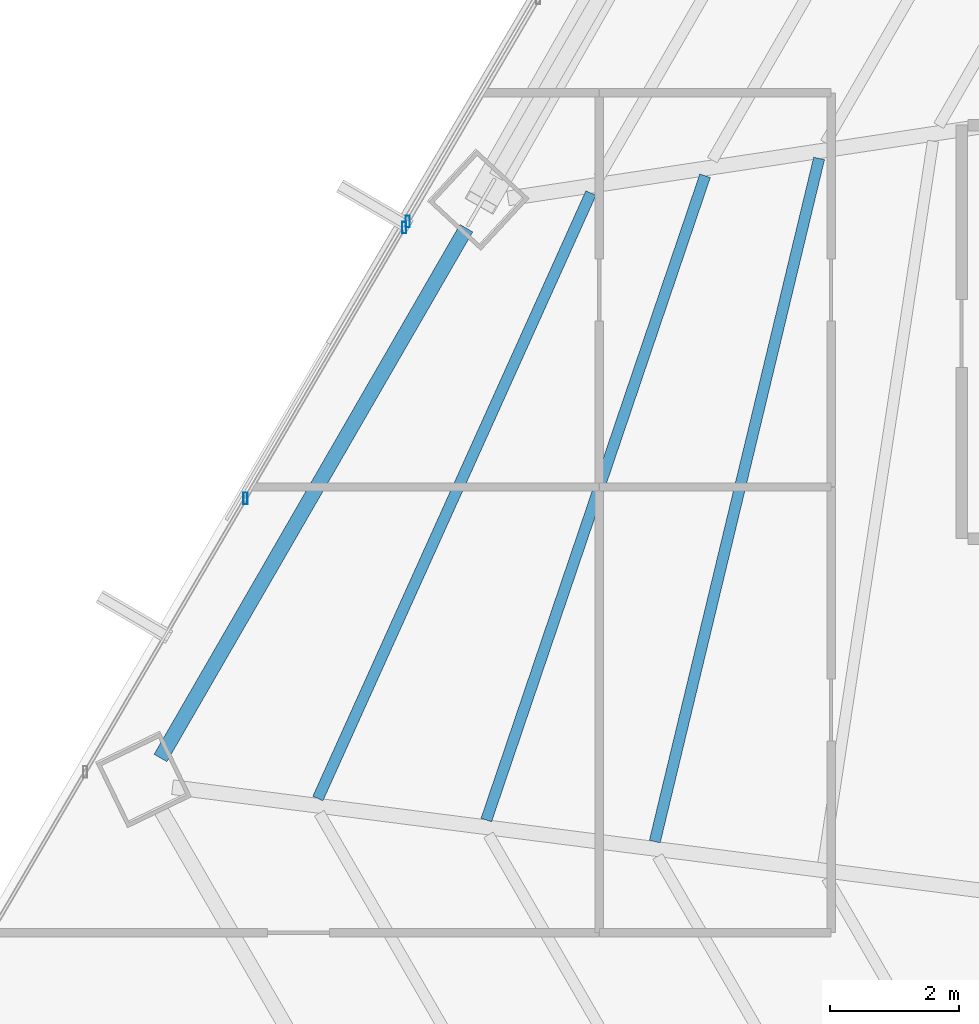
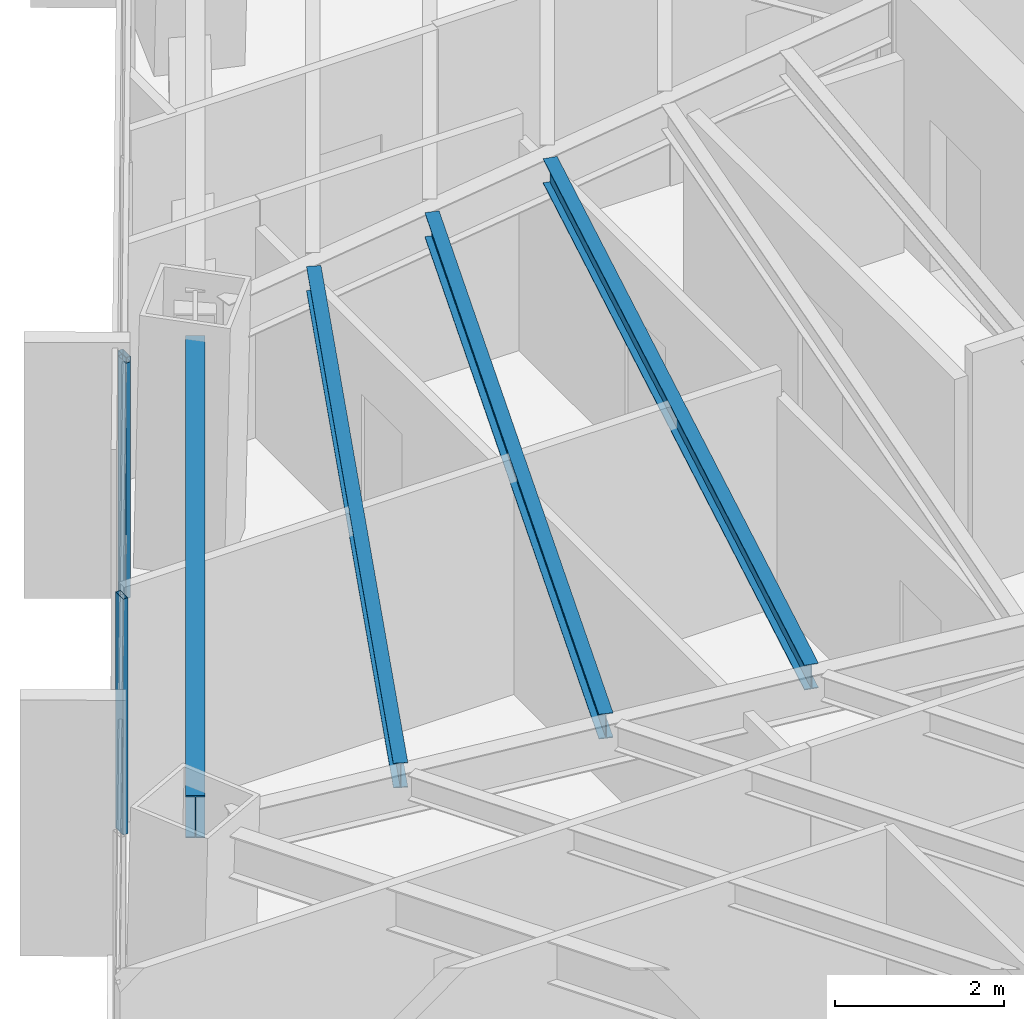
# One storey, part 12 of 35: 4 beams, 3 members, 2 elements without a shape of their own.
"""IFC4 building model written with IfcOpenShell, lengths in metres."""

from ifc_helpers import new_model, si_unit, direction, frame, origin, origin_2d, place, context, subcontext, project, spatial, hollow_rectangle, i_section, extrude, source, transform, mapped, material, material_profile, profile_set, type_object, type_shapes, element, aggregate, save


model = new_model("IFC4")

# Units and contexts
model_context = context("Model", 3, precision=1e-05, world=origin(), true_north=direction((0.0, 1.0)))
body_context = subcontext(model_context, "Body", "Model", "MODEL_VIEW")
ifc_project = project(units=[si_unit("LENGTHUNIT", "METRE"), si_unit("AREAUNIT", "SQUARE_METRE"), si_unit("VOLUMEUNIT", "CUBIC_METRE"), si_unit("PLANEANGLEUNIT", "RADIAN"), si_unit("MASSUNIT", "GRAM", prefix="KILO")], contexts=[model_context])

# Site, building, storey
site_placement = place(None, origin())
site = spatial("IfcSite", under=ifc_project, at=site_placement, CompositionType="ELEMENT")
building_placement = place(site_placement, origin())
building = spatial("IfcBuilding", under=site, at=building_placement, Name="Caelisora Broadcast Tower", CompositionType="ELEMENT")
storey_placement = place(building_placement, frame((0.0, 0.0, 94.449951171875)))
storey = spatial("IfcBuildingStorey", under=building, at=storey_placement, Name="L24", CompositionType="ELEMENT", Elevation=94.449951171875)

# Beams
ifc_material_1 = material(Name="Steel Grade 350 (AS/NZS 3679.1)", Category="steel")
ifc_material_profile_1 = material_profile(ifc_material_1, i_section(OverallWidth=0.22900390625, OverallDepth=0.611572265625, WebThickness=0.011962890625, FlangeThickness=0.01953125, at=origin_2d()), Name="Steel Grade 350 (AS/NZS 3679.1)")
ifc_profile_set_1 = profile_set([ifc_material_profile_1], Name="Steel Grade 350 (AS/NZS 3679.1)")
beam_type_1 = type_object("IfcBeamType", Name="PG03", PredefinedType="BEAM", material=ifc_profile_set_1)
shared_shape_1 = source(origin(), body_context, "Body", "SweptSolid", [
    extrude(i_section(OverallWidth=0.22900390625, OverallDepth=0.611572265625, WebThickness=0.011962890625, FlangeThickness=0.01953125, at=origin_2d()), origin(), (0.0, 0.0, 1.0), 9.4677734375),
])
type_shapes(beam_type_1, [shared_shape_1])
beam_1_placement = place(storey_placement, frame((19.754638671875, 28.00537109375, 3.09423828125), z_axis=(-0.499994028088, -0.866028851642, 0.0), x_axis=(0.866028851642, -0.499994028088, 0.0)))
element("IfcBeam", 1, at=beam_1_placement, inside=storey, type_object=beam_type_1, Name="L24 beam PG03", PredefinedType="BEAM", context=body_context, shape_type="MappedRepresentation", body=[
    mapped(shared_shape_1, transform((0.0, 0.0, 0.0), scale=1.0)),
])
ifc_material_profile_2 = material_profile(ifc_material_1, i_section(OverallWidth=0.172119140625, OverallDepth=0.358642578125, WebThickness=0.008056640625, FlangeThickness=0.012939453125, at=origin_2d()), Name="Steel Grade 350 (AS/NZS 3679.1)")
ifc_profile_set_2 = profile_set([ifc_material_profile_2], Name="Steel Grade 350 (AS/NZS 3679.1)")
beam_type_2 = type_object("IfcBeamType", Name="SB02", PredefinedType="JOIST", material=ifc_profile_set_2)
shared_shape_2 = source(origin(), body_context, "Body", "SweptSolid", [
    extrude(i_section(OverallWidth=0.172119140625, OverallDepth=0.358642578125, WebThickness=0.008056640625, FlangeThickness=0.012939453125, at=origin_2d()), origin(), (0.0, 0.0, 1.0), 10.874267578125),
])
beam_2_placement = place(storey_placement, frame((25.21435546875, 29.085205078125, 3.220703125), z_axis=(-0.233851838101, -0.972272244701, 0.0), x_axis=(0.972272244701, -0.233851838101, 0.0)))
element("IfcBeam", 2, at=beam_2_placement, inside=storey, type_object=beam_type_2, Name="L24 beam SB02", PredefinedType="JOIST", context=body_context, shape_type="MappedRepresentation", body=[
    mapped(shared_shape_2, transform((0.0, 0.0, 0.0), scale=1.0)),
])
shared_shape_3 = source(origin(), body_context, "Body", "SweptSolid", [
    extrude(i_section(OverallWidth=0.172119140625, OverallDepth=0.358642578125, WebThickness=0.008056640625, FlangeThickness=0.012939453125, at=origin_2d()), origin(), (0.0, 0.0, 1.0), 10.530517578125),
])
beam_3_placement = place(storey_placement, frame((23.449462890625, 28.817138671875, 3.220703125), z_axis=(-0.321515752128, -0.946904230181, 0.0), x_axis=(0.946904230181, -0.321515752128, 0.0)))
element("IfcBeam", 3, at=beam_3_placement, inside=storey, type_object=beam_type_2, Name="L24 beam SB02", PredefinedType="JOIST", context=body_context, shape_type="MappedRepresentation", body=[
    mapped(shared_shape_3, transform((0.0, 0.0, 0.0), scale=1.0)),
])
shared_shape_4 = source(origin(), body_context, "Body", "SweptSolid", [
    extrude(i_section(OverallWidth=0.172119140625, OverallDepth=0.358642578125, WebThickness=0.008056640625, FlangeThickness=0.012939453125, at=origin_2d()), origin(), (0.0, 0.0, 1.0), 10.27880859375),
])
type_shapes(beam_type_2, [shared_shape_2, shared_shape_3, shared_shape_4])
beam_4_placement = place(storey_placement, frame((21.6826171875, 28.548583984375, 3.220703125), z_axis=(-0.41112400763, -0.911579426243, 0.0), x_axis=(0.911579426243, -0.41112400763, 0.0)))
element("IfcBeam", 4, at=beam_4_placement, inside=storey, type_object=beam_type_2, Name="L24 beam SB02", PredefinedType="JOIST", context=body_context, shape_type="MappedRepresentation", body=[
    mapped(shared_shape_4, transform((0.0, 0.0, 0.0), scale=1.0)),
])

# Curtain wall, members
ifc_material_2 = material(Name="Unitised Aluminium and Low-E Glass Curtain Wall", Category="glass")
curtain_wall_type_1 = type_object("IfcCurtainWallType", Name="CW-Z2", PredefinedType="NOTDEFINED", material=ifc_material_2)
curtain_wall_1_placement = place(storey_placement, origin())
curtain_wall_1 = element("IfcCurtainWall", 5, at=curtain_wall_1_placement, inside=storey, type_object=curtain_wall_type_1, Name="L24 curtain wall CW-Z2", PredefinedType="NOTDEFINED")
ifc_material_3 = material(Name="Aluminium 6063-T6 Anodised Terracotta Bronze", Category="aluminium")
ifc_material_profile_3 = material_profile(ifc_material_3, hollow_rectangle(XDim=0.06494140625, YDim=0.179931640625, WallThickness=0.00341796875, at=origin_2d()), Name="Aluminium 6063-T6 Anodised Terracotta Bronze")
ifc_profile_set_3 = profile_set([ifc_material_profile_3], Name="Aluminium 6063-T6 Anodised Terracotta Bronze")
member_type = type_object("IfcMemberType", Name="CWM-02", PredefinedType="MULLION", material=ifc_profile_set_3)
shared_shape_5 = source(origin(), body_context, "Body", "SweptSolid", [
    extrude(hollow_rectangle(XDim=0.06494140625, YDim=0.179931640625, WallThickness=0.00341796875, at=origin_2d()), origin(), (0.0, 0.0, 1.0), 3.400146484375),
])
type_shapes(member_type, [shared_shape_5])
member_1_placement = place(storey_placement, frame((16.337890625, 23.8232421875, 0.0), z_axis=(0.0, 0.0, 1.0), x_axis=(1.0, 0.0, 0.0)))
member_1 = element("IfcMember", 6, at=member_1_placement, type_object=member_type, Name="L24-CW-B09 mullion #2", PredefinedType="MULLION", context=body_context, shape_type="MappedRepresentation", body=[
    mapped(shared_shape_5, transform((0.0, 0.0, 0.0), scale=1.0)),
])
member_2_placement = place(storey_placement, frame((18.79248046875, 28.013671875, 0.0), z_axis=(0.0, 0.0, 1.0), x_axis=(1.0, 0.0, 0.0)))
member_2 = element("IfcMember", 7, at=member_2_placement, type_object=member_type, Name="L24-CW-B09 mullion #3", PredefinedType="MULLION", context=body_context, shape_type="MappedRepresentation", body=[
    mapped(shared_shape_5, transform((0.0, 0.0, 0.0), scale=1.0)),
])
aggregate(curtain_wall_1, [member_1, member_2])

# Curtain wall, member
ifc_material_4 = material(Name="Unitised Aluminium Insulated Shadow-Box Spandrel Curtain Wall", Category="aluminium")
curtain_wall_type_2 = type_object("IfcCurtainWallType", Name="CW-SP1", PredefinedType="NOTDEFINED", material=ifc_material_4)
curtain_wall_2_placement = place(storey_placement, origin())
curtain_wall_2 = element("IfcCurtainWall", 8, at=curtain_wall_2_placement, inside=storey, type_object=curtain_wall_type_2, Name="L24 curtain wall CW-SP1", PredefinedType="NOTDEFINED")
member_3_placement = place(storey_placement, frame((18.84814453125, 28.108642578125, 0.0), z_axis=(0.0, 0.0, 1.0), x_axis=(1.0, 0.0, 0.0)))
member_3 = element("IfcMember", 9, at=member_3_placement, type_object=member_type, Name="L24-CW-B10 mullion #0", PredefinedType="MULLION", context=body_context, shape_type="MappedRepresentation", body=[
    mapped(shared_shape_5, transform((0.0, 0.0, 0.0), scale=1.0)),
])
aggregate(curtain_wall_2, [member_3])

save(model, "model.ifc")
